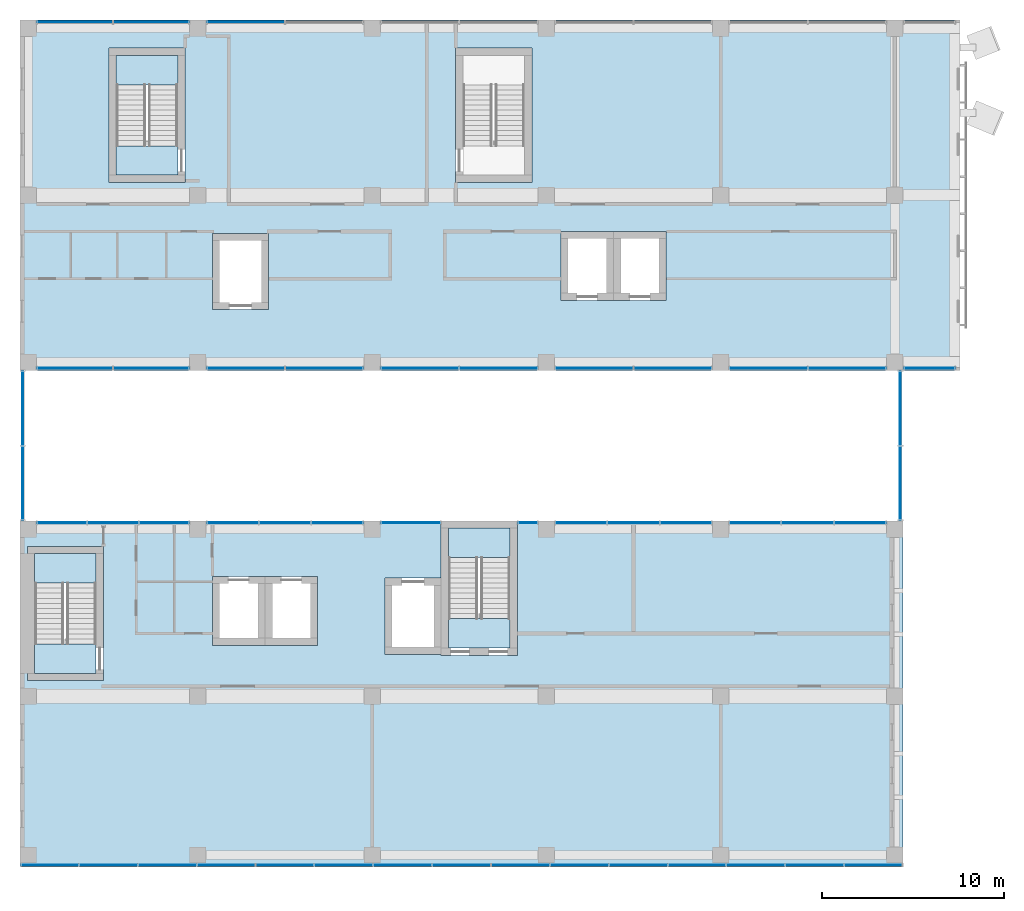
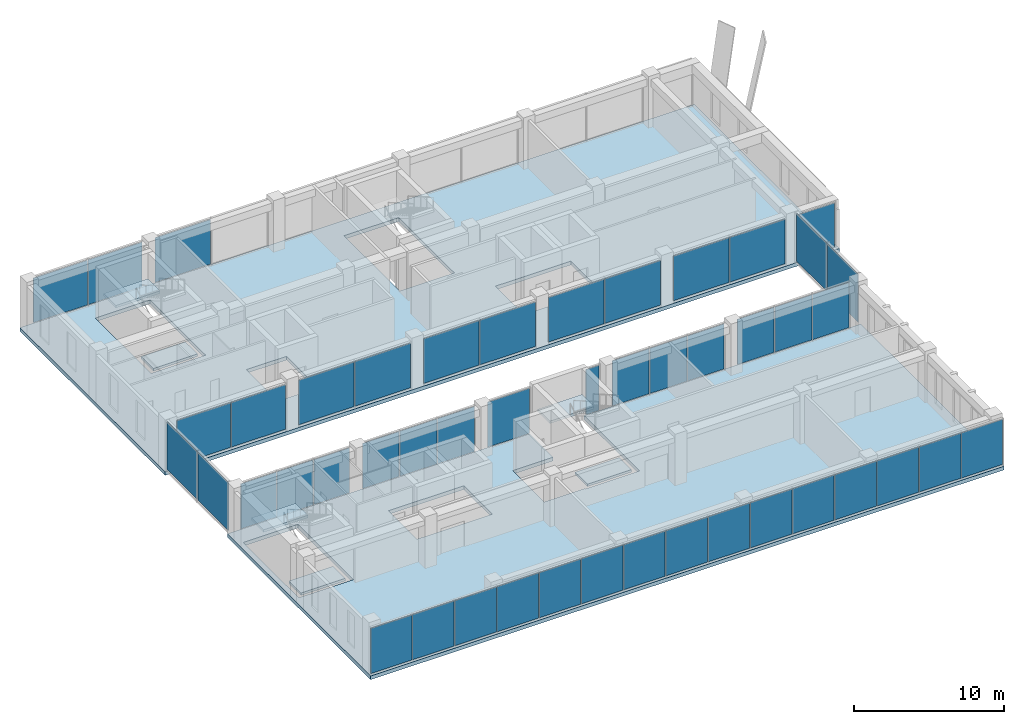
# One storey, part 26 of 37: 47 plates, 8 slabs, 20 elements without a shape of their own.
"""IFC4 building model written with IfcOpenShell, lengths in metres."""

from ifc_helpers import new_model, si_unit, direction, frame, origin, origin_2d, place, context, subcontext, project, spatial, polyline, rectangle, outline, extrude, material, layer, layer_set, type_object, element, aggregate, save


model = new_model("IFC4")

# Units and contexts
model_context = context("Model", 3, precision=1e-05, world=origin(), true_north=direction((0.0, 1.0)))
body_context = subcontext(model_context, "Body", "Model", "MODEL_VIEW")
ifc_project = project(units=[si_unit("LENGTHUNIT", "METRE"), si_unit("AREAUNIT", "SQUARE_METRE"), si_unit("VOLUMEUNIT", "CUBIC_METRE"), si_unit("PLANEANGLEUNIT", "RADIAN"), si_unit("MASSUNIT", "GRAM", prefix="KILO")], contexts=[model_context])

# Site, building, storey
site_placement = place(None, origin())
site = spatial("IfcSite", under=ifc_project, at=site_placement, CompositionType="ELEMENT")
building_placement = place(site_placement, origin())
building = spatial("IfcBuilding", under=site, at=building_placement, Name="Nzadi Deep Aquarium and Research Tower", CompositionType="ELEMENT")
storey_placement = place(building_placement, frame((0.0, 0.0, 57.10009765625)))
storey = spatial("IfcBuildingStorey", under=building, at=storey_placement, Name="L11", CompositionType="ELEMENT", Elevation=57.10009765625)

# Curtain wall, plates
ifc_material_1 = material(Name="Aluminium unitised frame", Category="aluminium")
ifc_layer_1 = layer(ifc_material_1, 0.199951171875)
ifc_layer_set_1 = layer_set([ifc_layer_1], Name="Aluminium unitised frame")
curtain_wall_type_1 = type_object("IfcCurtainWallType", Name="Curtain wall Unitised 200", PredefinedType="NOTDEFINED", material=ifc_layer_set_1)
curtain_wall_1_placement = place(storey_placement, origin())
curtain_wall_1 = element("IfcCurtainWall", 1, at=curtain_wall_1_placement, inside=storey, type_object=curtain_wall_type_1, Name="Unitised curtain wall blade A south L11", PredefinedType="NOTDEFINED")
ifc_material_2 = material(Name="Glass, sage tint", Category="glass")
ifc_layer_2 = layer(ifc_material_2, 0.035888671875)
ifc_layer_set_2 = layer_set([ifc_layer_2], Name="Glass, sage tint")
plate_type_1 = type_object("IfcPlateType", Name="Glazing panel 36 Unitised", PredefinedType="CURTAIN_PANEL", material=ifc_layer_set_2)
plate_1_placement = place(storey_placement, frame((1.436767578125, -0.10009765625, 0.1201171875), z_axis=(0.0, 0.0, 1.0), x_axis=(1.0, 0.0, 0.0)))
plate_1 = element("IfcPlate", 2, at=plate_1_placement, type_object=plate_type_1, Name="CW043 panel 1.1", PredefinedType="CURTAIN_PANEL", context=body_context, shape_type="SweptSolid", body=[
    extrude(rectangle(XDim=3.1533203125, YDim=0.035888671875, at=origin_2d()), origin(), (0.0, 0.0, 1.0), 3.659912109375),
])
plate_2_placement = place(storey_placement, frame((4.6650390625, -0.10009765625, 0.1201171875), z_axis=(0.0, 0.0, 1.0), x_axis=(1.0, 0.0, 0.0)))
plate_2 = element("IfcPlate", 3, at=plate_2_placement, type_object=plate_type_1, Name="CW043 panel 2.1", PredefinedType="CURTAIN_PANEL", context=body_context, shape_type="SweptSolid", body=[
    extrude(rectangle(XDim=3.183349609375, YDim=0.035888671875, at=origin_2d()), origin(), (0.0, 0.0, 1.0), 3.659912109375),
])
plate_3_placement = place(storey_placement, frame((7.908447265625, -0.10009765625, 0.1201171875), z_axis=(0.0, 0.0, 1.0), x_axis=(1.0, 0.0, 0.0)))
plate_3 = element("IfcPlate", 4, at=plate_3_placement, type_object=plate_type_1, Name="CW043 panel 3.1", PredefinedType="CURTAIN_PANEL", context=body_context, shape_type="SweptSolid", body=[
    extrude(rectangle(XDim=3.183349609375, YDim=0.035888671875, at=origin_2d()), origin(), (0.0, 0.0, 1.0), 3.659912109375),
])
plate_4_placement = place(storey_placement, frame((11.151611328125, -0.10009765625, 0.1201171875), z_axis=(0.0, 0.0, 1.0), x_axis=(1.0, 0.0, 0.0)))
plate_4 = element("IfcPlate", 5, at=plate_4_placement, type_object=plate_type_1, Name="CW043 panel 4.1", PredefinedType="CURTAIN_PANEL", context=body_context, shape_type="SweptSolid", body=[
    extrude(rectangle(XDim=3.183349609375, YDim=0.035888671875, at=origin_2d()), origin(), (0.0, 0.0, 1.0), 3.659912109375),
])
plate_5_placement = place(storey_placement, frame((14.39501953125, -0.10009765625, 0.1201171875), z_axis=(0.0, 0.0, 1.0), x_axis=(1.0, 0.0, 0.0)))
plate_5 = element("IfcPlate", 6, at=plate_5_placement, type_object=plate_type_1, Name="CW043 panel 5.1", PredefinedType="CURTAIN_PANEL", context=body_context, shape_type="SweptSolid", body=[
    extrude(rectangle(XDim=3.183349609375, YDim=0.035888671875, at=origin_2d()), origin(), (0.0, 0.0, 1.0), 3.659912109375),
])
plate_6_placement = place(storey_placement, frame((17.638427734375, -0.10009765625, 0.1201171875), z_axis=(0.0, 0.0, 1.0), x_axis=(1.0, 0.0, 0.0)))
plate_6 = element("IfcPlate", 7, at=plate_6_placement, type_object=plate_type_1, Name="CW043 panel 6.1", PredefinedType="CURTAIN_PANEL", context=body_context, shape_type="SweptSolid", body=[
    extrude(rectangle(XDim=3.183349609375, YDim=0.035888671875, at=origin_2d()), origin(), (0.0, 0.0, 1.0), 3.659912109375),
])
plate_7_placement = place(storey_placement, frame((20.881591796875, -0.10009765625, 0.1201171875), z_axis=(0.0, 0.0, 1.0), x_axis=(1.0, 0.0, 0.0)))
plate_7 = element("IfcPlate", 8, at=plate_7_placement, type_object=plate_type_1, Name="CW043 panel 7.1", PredefinedType="CURTAIN_PANEL", context=body_context, shape_type="SweptSolid", body=[
    extrude(rectangle(XDim=3.183349609375, YDim=0.035888671875, at=origin_2d()), origin(), (0.0, 0.0, 1.0), 3.659912109375),
])
plate_8_placement = place(storey_placement, frame((24.125, -0.10009765625, 0.1201171875), z_axis=(0.0, 0.0, 1.0), x_axis=(1.0, 0.0, 0.0)))
plate_8 = element("IfcPlate", 9, at=plate_8_placement, type_object=plate_type_1, Name="CW043 panel 8.1", PredefinedType="CURTAIN_PANEL", context=body_context, shape_type="SweptSolid", body=[
    extrude(rectangle(XDim=3.183349609375, YDim=0.035888671875, at=origin_2d()), origin(), (0.0, 0.0, 1.0), 3.659912109375),
])
plate_9_placement = place(storey_placement, frame((27.368408203125, -0.10009765625, 0.1201171875), z_axis=(0.0, 0.0, 1.0), x_axis=(1.0, 0.0, 0.0)))
plate_9 = element("IfcPlate", 10, at=plate_9_placement, type_object=plate_type_1, Name="CW043 panel 9.1", PredefinedType="CURTAIN_PANEL", context=body_context, shape_type="SweptSolid", body=[
    extrude(rectangle(XDim=3.183349609375, YDim=0.035888671875, at=origin_2d()), origin(), (0.0, 0.0, 1.0), 3.659912109375),
])
plate_10_placement = place(storey_placement, frame((30.611572265625, -0.10009765625, 0.1201171875), z_axis=(0.0, 0.0, 1.0), x_axis=(1.0, 0.0, 0.0)))
plate_10 = element("IfcPlate", 11, at=plate_10_placement, type_object=plate_type_1, Name="CW043 panel 10.1", PredefinedType="CURTAIN_PANEL", context=body_context, shape_type="SweptSolid", body=[
    extrude(rectangle(XDim=3.183349609375, YDim=0.035888671875, at=origin_2d()), origin(), (0.0, 0.0, 1.0), 3.659912109375),
])
plate_11_placement = place(storey_placement, frame((33.85498046875, -0.10009765625, 0.1201171875), z_axis=(0.0, 0.0, 1.0), x_axis=(1.0, 0.0, 0.0)))
plate_11 = element("IfcPlate", 12, at=plate_11_placement, type_object=plate_type_1, Name="CW043 panel 11.1", PredefinedType="CURTAIN_PANEL", context=body_context, shape_type="SweptSolid", body=[
    extrude(rectangle(XDim=3.183349609375, YDim=0.035888671875, at=origin_2d()), origin(), (0.0, 0.0, 1.0), 3.659912109375),
])
plate_12_placement = place(storey_placement, frame((37.098388671875, -0.10009765625, 0.1201171875), z_axis=(0.0, 0.0, 1.0), x_axis=(1.0, 0.0, 0.0)))
plate_12 = element("IfcPlate", 13, at=plate_12_placement, type_object=plate_type_1, Name="CW043 panel 12.1", PredefinedType="CURTAIN_PANEL", context=body_context, shape_type="SweptSolid", body=[
    extrude(rectangle(XDim=3.183349609375, YDim=0.035888671875, at=origin_2d()), origin(), (0.0, 0.0, 1.0), 3.659912109375),
])
plate_13_placement = place(storey_placement, frame((40.341552734375, -0.10009765625, 0.1201171875), z_axis=(0.0, 0.0, 1.0), x_axis=(1.0, 0.0, 0.0)))
plate_13 = element("IfcPlate", 14, at=plate_13_placement, type_object=plate_type_1, Name="CW043 panel 13.1", PredefinedType="CURTAIN_PANEL", context=body_context, shape_type="SweptSolid", body=[
    extrude(rectangle(XDim=3.183349609375, YDim=0.035888671875, at=origin_2d()), origin(), (0.0, 0.0, 1.0), 3.659912109375),
])
plate_14_placement = place(storey_placement, frame((43.5849609375, -0.10009765625, 0.1201171875), z_axis=(0.0, 0.0, 1.0), x_axis=(1.0, 0.0, 0.0)))
plate_14 = element("IfcPlate", 15, at=plate_14_placement, type_object=plate_type_1, Name="CW043 panel 14.1", PredefinedType="CURTAIN_PANEL", context=body_context, shape_type="SweptSolid", body=[
    extrude(rectangle(XDim=3.183349609375, YDim=0.035888671875, at=origin_2d()), origin(), (0.0, 0.0, 1.0), 3.659912109375),
])
plate_15_placement = place(storey_placement, frame((46.813232421875, -0.10009765625, 0.1201171875), z_axis=(0.0, 0.0, 1.0), x_axis=(1.0, 0.0, 0.0)))
plate_15 = element("IfcPlate", 16, at=plate_15_placement, type_object=plate_type_1, Name="CW043 panel 15.1", PredefinedType="CURTAIN_PANEL", context=body_context, shape_type="SweptSolid", body=[
    extrude(rectangle(XDim=3.1533203125, YDim=0.035888671875, at=origin_2d()), origin(), (0.0, 0.0, 1.0), 3.659912109375),
])
aggregate(curtain_wall_1, [plate_1, plate_2, plate_3, plate_4, plate_5, plate_6, plate_7, plate_8, plate_9, plate_10, plate_11, plate_12, plate_13, plate_14, plate_15])

curtain_wall_2_placement = place(storey_placement, origin())
curtain_wall_2 = element("IfcCurtainWall", 17, at=curtain_wall_2_placement, inside=storey, type_object=curtain_wall_type_1, Name="Unitised curtain wall blade A north L11", PredefinedType="NOTDEFINED")
plate_16_placement = place(storey_placement, frame((2.123291015625, 18.75, 0.1201171875), z_axis=(0.0, 0.0, 1.0), x_axis=(1.0, 0.0, 0.0)))
plate_16 = element("IfcPlate", 18, at=plate_16_placement, type_object=plate_type_1, Name="CW044 panel 1.1", PredefinedType="CURTAIN_PANEL", context=body_context, shape_type="SweptSolid", body=[
    extrude(rectangle(XDim=2.7265625, YDim=0.035888671875, at=origin_2d()), origin(), (0.0, 0.0, 1.0), 3.659912109375),
])
plate_17_placement = place(storey_placement, frame((4.925048828125, 18.75, 0.1201171875), z_axis=(0.0, 0.0, 1.0), x_axis=(1.0, 0.0, 0.0)))
plate_17 = element("IfcPlate", 19, at=plate_17_placement, type_object=plate_type_1, Name="CW044 panel 2.1", PredefinedType="CURTAIN_PANEL", context=body_context, shape_type="SweptSolid", body=[
    extrude(rectangle(XDim=2.756591796875, YDim=0.035888671875, at=origin_2d()), origin(), (0.0, 0.0, 1.0), 3.659912109375),
])
plate_18_placement = place(storey_placement, frame((7.7265625, 18.75, 0.1201171875), z_axis=(0.0, 0.0, 1.0), x_axis=(1.0, 0.0, 0.0)))
plate_18 = element("IfcPlate", 20, at=plate_18_placement, type_object=plate_type_1, Name="CW044 panel 3.1", PredefinedType="CURTAIN_PANEL", context=body_context, shape_type="SweptSolid", body=[
    extrude(rectangle(XDim=2.7265625, YDim=0.035888671875, at=origin_2d()), origin(), (0.0, 0.0, 1.0), 3.659912109375),
])
aggregate(curtain_wall_2, [plate_16, plate_17, plate_18])

curtain_wall_3_placement = place(storey_placement, origin())
curtain_wall_3 = element("IfcCurtainWall", 21, at=curtain_wall_3_placement, inside=storey, type_object=curtain_wall_type_1, Name="Unitised curtain wall blade A north L11", PredefinedType="NOTDEFINED")
plate_19_placement = place(storey_placement, frame((11.514892578125, 18.75, 0.1201171875), z_axis=(0.0, 0.0, 1.0), x_axis=(1.0, 0.0, 0.0)))
plate_19 = element("IfcPlate", 22, at=plate_19_placement, type_object=plate_type_1, Name="CW045 panel 1.1", PredefinedType="CURTAIN_PANEL", context=body_context, shape_type="SweptSolid", body=[
    extrude(rectangle(XDim=2.81005859375, YDim=0.035888671875, at=origin_2d()), origin(), (0.0, 0.0, 1.0), 3.659912109375),
])
plate_20_placement = place(storey_placement, frame((14.39990234375, 18.75, 0.1201171875), z_axis=(0.0, 0.0, 1.0), x_axis=(1.0, 0.0, 0.0)))
plate_20 = element("IfcPlate", 23, at=plate_20_placement, type_object=plate_type_1, Name="CW045 panel 2.1", PredefinedType="CURTAIN_PANEL", context=body_context, shape_type="SweptSolid", body=[
    extrude(rectangle(XDim=2.840087890625, YDim=0.035888671875, at=origin_2d()), origin(), (0.0, 0.0, 1.0), 3.659912109375),
])
plate_21_placement = place(storey_placement, frame((17.284912109375, 18.75, 0.1201171875), z_axis=(0.0, 0.0, 1.0), x_axis=(1.0, 0.0, 0.0)))
plate_21 = element("IfcPlate", 24, at=plate_21_placement, type_object=plate_type_1, Name="CW045 panel 3.1", PredefinedType="CURTAIN_PANEL", context=body_context, shape_type="SweptSolid", body=[
    extrude(rectangle(XDim=2.81005859375, YDim=0.035888671875, at=origin_2d()), origin(), (0.0, 0.0, 1.0), 3.659912109375),
])
aggregate(curtain_wall_3, [plate_19, plate_20, plate_21])

# Curtain wall, plate
curtain_wall_4_placement = place(storey_placement, origin())
curtain_wall_4 = element("IfcCurtainWall", 25, at=curtain_wall_4_placement, inside=storey, type_object=curtain_wall_type_1, Name="Unitised curtain wall blade A north L11", PredefinedType="NOTDEFINED")
plate_22_placement = place(storey_placement, frame((21.324951171875, 18.75, 0.1201171875), z_axis=(0.0, 0.0, 1.0), x_axis=(1.0, 0.0, 0.0)))
plate_22 = element("IfcPlate", 26, at=plate_22_placement, type_object=plate_type_1, Name="CW046 panel 1.1", PredefinedType="CURTAIN_PANEL", context=body_context, shape_type="SweptSolid", body=[
    extrude(rectangle(XDim=3.22998046875, YDim=0.035888671875, at=origin_2d()), origin(), (0.0, 0.0, 1.0), 3.659912109375),
])
aggregate(curtain_wall_4, [plate_22])

curtain_wall_5_placement = place(storey_placement, origin())
curtain_wall_5 = element("IfcCurtainWall", 27, at=curtain_wall_5_placement, inside=storey, type_object=curtain_wall_type_1, Name="Unitised curtain wall blade A north L11", PredefinedType="NOTDEFINED")
plate_23_placement = place(storey_placement, frame((27.77490234375, 18.75, 0.1201171875), z_axis=(0.0, 0.0, 1.0), x_axis=(1.0, 0.0, 0.0)))
plate_23 = element("IfcPlate", 28, at=plate_23_placement, type_object=plate_type_1, Name="CW047 panel 1.1", PredefinedType="CURTAIN_PANEL", context=body_context, shape_type="SweptSolid", body=[
    extrude(rectangle(XDim=1.030029296875, YDim=0.035888671875, at=origin_2d()), origin(), (0.0, 0.0, 1.0), 3.659912109375),
])
aggregate(curtain_wall_5, [plate_23])

# Curtain wall, plates
curtain_wall_6_placement = place(storey_placement, origin())
curtain_wall_6 = element("IfcCurtainWall", 29, at=curtain_wall_6_placement, inside=storey, type_object=curtain_wall_type_1, Name="Unitised curtain wall blade A north L11", PredefinedType="NOTDEFINED")
plate_24_placement = place(storey_placement, frame((30.715087890625, 18.75, 0.1201171875), z_axis=(0.0, 0.0, 1.0), x_axis=(1.0, 0.0, 0.0)))
plate_24 = element("IfcPlate", 30, at=plate_24_placement, type_object=plate_type_1, Name="CW048 panel 1.1", PredefinedType="CURTAIN_PANEL", context=body_context, shape_type="SweptSolid", body=[
    extrude(rectangle(XDim=2.81005859375, YDim=0.035888671875, at=origin_2d()), origin(), (0.0, 0.0, 1.0), 3.659912109375),
])
plate_25_placement = place(storey_placement, frame((33.60009765625, 18.75, 0.1201171875), z_axis=(0.0, 0.0, 1.0), x_axis=(1.0, 0.0, 0.0)))
plate_25 = element("IfcPlate", 31, at=plate_25_placement, type_object=plate_type_1, Name="CW048 panel 2.1", PredefinedType="CURTAIN_PANEL", context=body_context, shape_type="SweptSolid", body=[
    extrude(rectangle(XDim=2.840087890625, YDim=0.035888671875, at=origin_2d()), origin(), (0.0, 0.0, 1.0), 3.659912109375),
])
plate_26_placement = place(storey_placement, frame((36.485107421875, 18.75, 0.1201171875), z_axis=(0.0, 0.0, 1.0), x_axis=(1.0, 0.0, 0.0)))
plate_26 = element("IfcPlate", 32, at=plate_26_placement, type_object=plate_type_1, Name="CW048 panel 3.1", PredefinedType="CURTAIN_PANEL", context=body_context, shape_type="SweptSolid", body=[
    extrude(rectangle(XDim=2.81005859375, YDim=0.035888671875, at=origin_2d()), origin(), (0.0, 0.0, 1.0), 3.659912109375),
])
aggregate(curtain_wall_6, [plate_24, plate_25, plate_26])

curtain_wall_7_placement = place(storey_placement, origin())
curtain_wall_7 = element("IfcCurtainWall", 33, at=curtain_wall_7_placement, inside=storey, type_object=curtain_wall_type_1, Name="Unitised curtain wall blade A north L11", PredefinedType="NOTDEFINED")
plate_27_placement = place(storey_placement, frame((40.31494140625, 18.75, 0.1201171875), z_axis=(0.0, 0.0, 1.0), x_axis=(1.0, 0.0, 0.0)))
plate_27 = element("IfcPlate", 34, at=plate_27_placement, type_object=plate_type_1, Name="CW049 panel 1.1", PredefinedType="CURTAIN_PANEL", context=body_context, shape_type="SweptSolid", body=[
    extrude(rectangle(XDim=2.81005859375, YDim=0.035888671875, at=origin_2d()), origin(), (0.0, 0.0, 1.0), 3.659912109375),
])
plate_28_placement = place(storey_placement, frame((43.199951171875, 18.75, 0.1201171875), z_axis=(0.0, 0.0, 1.0), x_axis=(1.0, 0.0, 0.0)))
plate_28 = element("IfcPlate", 35, at=plate_28_placement, type_object=plate_type_1, Name="CW049 panel 2.1", PredefinedType="CURTAIN_PANEL", context=body_context, shape_type="SweptSolid", body=[
    extrude(rectangle(XDim=2.840087890625, YDim=0.035888671875, at=origin_2d()), origin(), (0.0, 0.0, 1.0), 3.659912109375),
])
plate_29_placement = place(storey_placement, frame((46.0849609375, 18.75, 0.1201171875), z_axis=(0.0, 0.0, 1.0), x_axis=(1.0, 0.0, 0.0)))
plate_29 = element("IfcPlate", 36, at=plate_29_placement, type_object=plate_type_1, Name="CW049 panel 3.1", PredefinedType="CURTAIN_PANEL", context=body_context, shape_type="SweptSolid", body=[
    extrude(rectangle(XDim=2.81005859375, YDim=0.035888671875, at=origin_2d()), origin(), (0.0, 0.0, 1.0), 3.659912109375),
])
aggregate(curtain_wall_7, [plate_27, plate_28, plate_29])

ifc_material_3 = material(Name="Aluminium unitised frame deep", Category="aluminium")
ifc_layer_3 = layer(ifc_material_3, 0.22509765625)
ifc_layer_set_3 = layer_set([ifc_layer_3], Name="Aluminium unitised frame deep")
curtain_wall_type_2 = type_object("IfcCurtainWallType", Name="Curtain wall Unitised Deep 225", PredefinedType="NOTDEFINED", material=ifc_layer_set_3)
curtain_wall_8_placement = place(storey_placement, origin())
curtain_wall_8 = element("IfcCurtainWall", 37, at=curtain_wall_8_placement, inside=storey, type_object=curtain_wall_type_2, Name="Unitised curtain wall blade B south L11", PredefinedType="NOTDEFINED")
ifc_material_4 = material(Name="Glass, sage tint", Category="glass")
ifc_layer_4 = layer(ifc_material_4, 0.0400390625)
ifc_layer_set_4 = layer_set([ifc_layer_4], Name="Glass, sage tint")
plate_type_2 = type_object("IfcPlateType", Name="Glazing panel 40 Unitised Deep", PredefinedType="CURTAIN_PANEL", material=ifc_layer_set_4)
plate_30_placement = place(storey_placement, frame((2.827392578125, 27.262451171875, 0.139892578125), z_axis=(0.0, 0.0, 1.0), x_axis=(1.0, 0.0, 0.0)))
plate_30 = element("IfcPlate", 38, at=plate_30_placement, type_object=plate_type_2, Name="CW140 panel 1.1", PredefinedType="CURTAIN_PANEL", context=body_context, shape_type="SweptSolid", body=[
    extrude(rectangle(XDim=4.135009765625, YDim=0.0400390625, at=origin_2d()), origin(), (0.0, 0.0, 1.0), 3.6201171875),
])
plate_31_placement = place(storey_placement, frame((7.0224609375, 27.262451171875, 0.139892578125), z_axis=(0.0, 0.0, 1.0), x_axis=(1.0, 0.0, 0.0)))
plate_31 = element("IfcPlate", 39, at=plate_31_placement, type_object=plate_type_2, Name="CW140 panel 2.1", PredefinedType="CURTAIN_PANEL", context=body_context, shape_type="SweptSolid", body=[
    extrude(rectangle(XDim=4.135009765625, YDim=0.0400390625, at=origin_2d()), origin(), (0.0, 0.0, 1.0), 3.6201171875),
])
aggregate(curtain_wall_8, [plate_30, plate_31])

curtain_wall_9_placement = place(storey_placement, origin())
curtain_wall_9 = element("IfcCurtainWall", 40, at=curtain_wall_9_placement, inside=storey, type_object=curtain_wall_type_2, Name="Unitised curtain wall blade B south L11", PredefinedType="NOTDEFINED")
plate_32_placement = place(storey_placement, frame((12.239990234375, 27.262451171875, 0.139892578125), z_axis=(0.0, 0.0, 1.0), x_axis=(1.0, 0.0, 0.0)))
plate_32 = element("IfcPlate", 41, at=plate_32_placement, type_object=plate_type_2, Name="CW141 panel 1.1", PredefinedType="CURTAIN_PANEL", context=body_context, shape_type="SweptSolid", body=[
    extrude(rectangle(XDim=4.260009765625, YDim=0.0400390625, at=origin_2d()), origin(), (0.0, 0.0, 1.0), 3.6201171875),
])
plate_33_placement = place(storey_placement, frame((16.56005859375, 27.262451171875, 0.139892578125), z_axis=(0.0, 0.0, 1.0), x_axis=(1.0, 0.0, 0.0)))
plate_33 = element("IfcPlate", 42, at=plate_33_placement, type_object=plate_type_2, Name="CW141 panel 2.1", PredefinedType="CURTAIN_PANEL", context=body_context, shape_type="SweptSolid", body=[
    extrude(rectangle(XDim=4.260009765625, YDim=0.0400390625, at=origin_2d()), origin(), (0.0, 0.0, 1.0), 3.6201171875),
])
aggregate(curtain_wall_9, [plate_32, plate_33])

curtain_wall_10_placement = place(storey_placement, origin())
curtain_wall_10 = element("IfcCurtainWall", 43, at=curtain_wall_10_placement, inside=storey, type_object=curtain_wall_type_2, Name="Unitised curtain wall blade B south L11", PredefinedType="NOTDEFINED")
plate_34_placement = place(storey_placement, frame((21.840087890625, 27.262451171875, 0.139892578125), z_axis=(0.0, 0.0, 1.0), x_axis=(1.0, 0.0, 0.0)))
plate_34 = element("IfcPlate", 44, at=plate_34_placement, type_object=plate_type_2, Name="CW142 panel 1.1", PredefinedType="CURTAIN_PANEL", context=body_context, shape_type="SweptSolid", body=[
    extrude(rectangle(XDim=4.260009765625, YDim=0.0400390625, at=origin_2d()), origin(), (0.0, 0.0, 1.0), 3.6201171875),
])
plate_35_placement = place(storey_placement, frame((26.159912109375, 27.262451171875, 0.139892578125), z_axis=(0.0, 0.0, 1.0), x_axis=(1.0, 0.0, 0.0)))
plate_35 = element("IfcPlate", 45, at=plate_35_placement, type_object=plate_type_2, Name="CW142 panel 2.1", PredefinedType="CURTAIN_PANEL", context=body_context, shape_type="SweptSolid", body=[
    extrude(rectangle(XDim=4.260009765625, YDim=0.0400390625, at=origin_2d()), origin(), (0.0, 0.0, 1.0), 3.6201171875),
])
aggregate(curtain_wall_10, [plate_34, plate_35])

curtain_wall_11_placement = place(storey_placement, origin())
curtain_wall_11 = element("IfcCurtainWall", 46, at=curtain_wall_11_placement, inside=storey, type_object=curtain_wall_type_2, Name="Unitised curtain wall blade B south L11", PredefinedType="NOTDEFINED")
plate_36_placement = place(storey_placement, frame((31.43994140625, 27.262451171875, 0.139892578125), z_axis=(0.0, 0.0, 1.0), x_axis=(1.0, 0.0, 0.0)))
plate_36 = element("IfcPlate", 47, at=plate_36_placement, type_object=plate_type_2, Name="CW143 panel 1.1", PredefinedType="CURTAIN_PANEL", context=body_context, shape_type="SweptSolid", body=[
    extrude(rectangle(XDim=4.260009765625, YDim=0.0400390625, at=origin_2d()), origin(), (0.0, 0.0, 1.0), 3.6201171875),
])
plate_37_placement = place(storey_placement, frame((35.760009765625, 27.262451171875, 0.139892578125), z_axis=(0.0, 0.0, 1.0), x_axis=(1.0, 0.0, 0.0)))
plate_37 = element("IfcPlate", 48, at=plate_37_placement, type_object=plate_type_2, Name="CW143 panel 2.1", PredefinedType="CURTAIN_PANEL", context=body_context, shape_type="SweptSolid", body=[
    extrude(rectangle(XDim=4.260009765625, YDim=0.0400390625, at=origin_2d()), origin(), (0.0, 0.0, 1.0), 3.6201171875),
])
aggregate(curtain_wall_11, [plate_36, plate_37])

curtain_wall_12_placement = place(storey_placement, origin())
curtain_wall_12 = element("IfcCurtainWall", 49, at=curtain_wall_12_placement, inside=storey, type_object=curtain_wall_type_2, Name="Unitised curtain wall blade B south L11", PredefinedType="NOTDEFINED")
plate_38_placement = place(storey_placement, frame((41.0400390625, 27.262451171875, 0.139892578125), z_axis=(0.0, 0.0, 1.0), x_axis=(1.0, 0.0, 0.0)))
plate_38 = element("IfcPlate", 50, at=plate_38_placement, type_object=plate_type_2, Name="CW144 panel 1.1", PredefinedType="CURTAIN_PANEL", context=body_context, shape_type="SweptSolid", body=[
    extrude(rectangle(XDim=4.260009765625, YDim=0.0400390625, at=origin_2d()), origin(), (0.0, 0.0, 1.0), 3.6201171875),
])
plate_39_placement = place(storey_placement, frame((45.360107421875, 27.262451171875, 0.139892578125), z_axis=(0.0, 0.0, 1.0), x_axis=(1.0, 0.0, 0.0)))
plate_39 = element("IfcPlate", 51, at=plate_39_placement, type_object=plate_type_2, Name="CW144 panel 2.1", PredefinedType="CURTAIN_PANEL", context=body_context, shape_type="SweptSolid", body=[
    extrude(rectangle(XDim=4.260009765625, YDim=0.0400390625, at=origin_2d()), origin(), (0.0, 0.0, 1.0), 3.6201171875),
])
aggregate(curtain_wall_12, [plate_38, plate_39])

# Curtain wall, plate
curtain_wall_13_placement = place(storey_placement, origin())
curtain_wall_13 = element("IfcCurtainWall", 52, at=curtain_wall_13_placement, inside=storey, type_object=curtain_wall_type_2, Name="Unitised curtain wall blade B south L11", PredefinedType="NOTDEFINED")
plate_40_placement = place(storey_placement, frame((49.89990234375, 27.262451171875, 0.139892578125), z_axis=(0.0, 0.0, 1.0), x_axis=(1.0, 0.0, 0.0)))
plate_40 = element("IfcPlate", 53, at=plate_40_placement, type_object=plate_type_2, Name="CW145 panel 1.1", PredefinedType="CURTAIN_PANEL", context=body_context, shape_type="SweptSolid", body=[
    extrude(rectangle(XDim=2.780029296875, YDim=0.0400390625, at=origin_2d()), origin(), (0.0, 0.0, 1.0), 3.6201171875),
])
aggregate(curtain_wall_13, [plate_40])

# Curtain wall, plates
curtain_wall_14_placement = place(storey_placement, origin())
curtain_wall_14 = element("IfcCurtainWall", 54, at=curtain_wall_14_placement, inside=storey, type_object=curtain_wall_type_2, Name="Unitised curtain wall blade B north L11", PredefinedType="NOTDEFINED")
plate_41_placement = place(storey_placement, frame((2.827392578125, 46.33740234375, 0.139892578125), z_axis=(0.0, 0.0, 1.0), x_axis=(1.0, 0.0, 0.0)))
plate_41 = element("IfcPlate", 55, at=plate_41_placement, type_object=plate_type_2, Name="CW146 panel 1.1", PredefinedType="CURTAIN_PANEL", context=body_context, shape_type="SweptSolid", body=[
    extrude(rectangle(XDim=4.135009765625, YDim=0.0400390625, at=origin_2d()), origin(), (0.0, 0.0, 1.0), 3.6201171875),
])
plate_42_placement = place(storey_placement, frame((7.0224609375, 46.33740234375, 0.139892578125), z_axis=(0.0, 0.0, 1.0), x_axis=(1.0, 0.0, 0.0)))
plate_42 = element("IfcPlate", 56, at=plate_42_placement, type_object=plate_type_2, Name="CW146 panel 2.1", PredefinedType="CURTAIN_PANEL", context=body_context, shape_type="SweptSolid", body=[
    extrude(rectangle(XDim=4.135009765625, YDim=0.0400390625, at=origin_2d()), origin(), (0.0, 0.0, 1.0), 3.6201171875),
])
aggregate(curtain_wall_14, [plate_41, plate_42])

# Curtain wall, plate
curtain_wall_15_placement = place(storey_placement, origin())
curtain_wall_15 = element("IfcCurtainWall", 57, at=curtain_wall_15_placement, inside=storey, type_object=curtain_wall_type_2, Name="Unitised curtain wall blade B north L11", PredefinedType="NOTDEFINED")
plate_43_placement = place(storey_placement, frame((12.239990234375, 46.33740234375, 0.139892578125), z_axis=(0.0, 0.0, 1.0), x_axis=(1.0, 0.0, 0.0)))
plate_43 = element("IfcPlate", 58, at=plate_43_placement, type_object=plate_type_2, Name="CW147 panel 1.1", PredefinedType="CURTAIN_PANEL", context=body_context, shape_type="SweptSolid", body=[
    extrude(rectangle(XDim=4.260009765625, YDim=0.0400390625, at=origin_2d()), origin(), (0.0, 0.0, 1.0), 3.6201171875),
])
aggregate(curtain_wall_15, [plate_43])

# Curtain wall, plates
ifc_material_5 = material(Name="Aluminium unitised frame wind post", Category="aluminium")
ifc_layer_5 = layer(ifc_material_5, 0.300048828125)
ifc_layer_set_5 = layer_set([ifc_layer_5], Name="Aluminium unitised frame wind post")
curtain_wall_type_3 = type_object("IfcCurtainWallType", Name="Curtain wall Slot End 300", PredefinedType="NOTDEFINED", material=ifc_layer_set_5)
curtain_wall_16_placement = place(storey_placement, origin())
curtain_wall_16 = element("IfcCurtainWall", 59, at=curtain_wall_16_placement, inside=storey, type_object=curtain_wall_type_3, Name="Glazed slot end west L11", PredefinedType="NOTDEFINED")
ifc_material_6 = material(Name="Glass, sage tint", Category="glass")
ifc_layer_6 = layer(ifc_material_6, 0.0439453125)
ifc_layer_set_6 = layer_set([ifc_layer_6], Name="Glass, sage tint")
plate_type_3 = type_object("IfcPlateType", Name="Glazing panel 44 Slot End", PredefinedType="CURTAIN_PANEL", material=ifc_layer_set_6)
plate_44_placement = place(storey_placement, frame((-0.050048828125, 20.93994140625, 0.159912109375), z_axis=(0.0, 0.0, 1.0), x_axis=(0.0, 1.0, 0.0)))
plate_44 = element("IfcPlate", 60, at=plate_44_placement, type_object=plate_type_3, Name="CW213 panel 1.1", PredefinedType="CURTAIN_PANEL", context=body_context, shape_type="SweptSolid", body=[
    extrude(rectangle(XDim=4.06005859375, YDim=0.0439453125, at=origin_2d()), origin(), (0.0, 0.0, 1.0), 3.8798828125),
])
plate_45_placement = place(storey_placement, frame((-0.050048828125, 25.06005859375, 0.159912109375), z_axis=(0.0, 0.0, 1.0), x_axis=(0.0, 1.0, 0.0)))
plate_45 = element("IfcPlate", 61, at=plate_45_placement, type_object=plate_type_3, Name="CW213 panel 2.1", PredefinedType="CURTAIN_PANEL", context=body_context, shape_type="SweptSolid", body=[
    extrude(rectangle(XDim=4.06005859375, YDim=0.0439453125, at=origin_2d()), origin(), (0.0, 0.0, 1.0), 3.8798828125),
])
aggregate(curtain_wall_16, [plate_44, plate_45])

curtain_wall_17_placement = place(storey_placement, origin())
curtain_wall_17 = element("IfcCurtainWall", 62, at=curtain_wall_17_placement, inside=storey, type_object=curtain_wall_type_3, Name="Glazed slot end east L11", PredefinedType="NOTDEFINED")
plate_46_placement = place(storey_placement, frame((48.300048828125, 20.93994140625, 0.159912109375), z_axis=(0.0, 0.0, 1.0), x_axis=(0.0, 1.0, 0.0)))
plate_46 = element("IfcPlate", 63, at=plate_46_placement, type_object=plate_type_3, Name="CW214 panel 1.1", PredefinedType="CURTAIN_PANEL", context=body_context, shape_type="SweptSolid", body=[
    extrude(rectangle(XDim=4.06005859375, YDim=0.0439453125, at=origin_2d()), origin(), (0.0, 0.0, 1.0), 3.8798828125),
])
plate_47_placement = place(storey_placement, frame((48.300048828125, 25.06005859375, 0.159912109375), z_axis=(0.0, 0.0, 1.0), x_axis=(0.0, 1.0, 0.0)))
plate_47 = element("IfcPlate", 64, at=plate_47_placement, type_object=plate_type_3, Name="CW214 panel 2.1", PredefinedType="CURTAIN_PANEL", context=body_context, shape_type="SweptSolid", body=[
    extrude(rectangle(XDim=4.06005859375, YDim=0.0439453125, at=origin_2d()), origin(), (0.0, 0.0, 1.0), 3.8798828125),
])
aggregate(curtain_wall_17, [plate_46, plate_47])

# Stair, slabs
ifc_material_7 = material(Name="Concrete C35/45", Category="concrete")
stair_type = type_object("IfcStairType", Name="STAIR RETURN 3000", PredefinedType="NOTDEFINED", material=ifc_material_7)
stair_1_placement = place(storey_placement, origin())
stair_1 = element("IfcStair", 65, at=stair_1_placement, inside=storey, type_object=stair_type, Name="Stair ST-Z1-SW L11", PredefinedType="HALF_TURN_STAIR")
ifc_material_8 = material(Name="Concrete C35/45", Category="concrete")
ifc_layer_7 = layer(ifc_material_8, 0.199951171875)
ifc_layer_set_7 = layer_set([ifc_layer_7], Name="Concrete C35/45")
slab_type_1 = type_object("IfcSlabType", Name="LANDING 200", PredefinedType="LANDING", material=ifc_layer_set_7)
slab_1_placement = place(storey_placement, frame((0.0, 0.0, -0.2001953125)))
slab_1 = element("IfcSlab", 66, at=slab_1_placement, type_object=slab_type_1, Name="ST-Z1-SW landing 1", PredefinedType="LANDING", context=body_context, shape_type="SweptSolid", body=[
    extrude(outline(polyline([(0.60009765625, 10.449951171875), (4.0, 10.449951171875), (4.0, 12.070068359375), (0.60009765625, 12.070068359375), (0.60009765625, 10.449951171875)])), origin(), (0.0, 0.0, 1.0), 0.2001953125),
])
slab_2_placement = place(storey_placement, frame((0.0, 0.0, 1.89990234375)))
slab_2 = element("IfcSlab", 67, at=slab_2_placement, type_object=slab_type_1, Name="ST-Z1-SW landing 2", PredefinedType="LANDING", context=body_context, shape_type="SweptSolid", body=[
    extrude(outline(polyline([(0.60009765625, 15.429931640625), (4.0, 15.429931640625), (4.0, 17.050048828125), (0.60009765625, 17.050048828125), (0.60009765625, 15.429931640625)])), origin(), (0.0, 0.0, 1.0), 0.199951171875),
])
aggregate(stair_1, [slab_1, slab_2])

stair_2_placement = place(storey_placement, origin())
stair_2 = element("IfcStair", 68, at=stair_2_placement, inside=storey, type_object=stair_type, Name="Stair ST-Z1-SE L11", PredefinedType="HALF_TURN_STAIR")
slab_3_placement = place(storey_placement, frame((0.0, 0.0, -0.2001953125)))
slab_3 = element("IfcSlab", 69, at=slab_3_placement, type_object=slab_type_1, Name="ST-Z1-SE landing 1", PredefinedType="LANDING", context=body_context, shape_type="SweptSolid", body=[
    extrude(outline(polyline([(23.39990234375, 11.85009765625), (26.800048828125, 11.85009765625), (26.800048828125, 13.469970703125), (23.39990234375, 13.469970703125), (23.39990234375, 11.85009765625)])), origin(), (0.0, 0.0, 1.0), 0.2001953125),
])
slab_4_placement = place(storey_placement, frame((0.0, 0.0, 1.89990234375)))
slab_4 = element("IfcSlab", 70, at=slab_4_placement, type_object=slab_type_1, Name="ST-Z1-SE landing 2", PredefinedType="LANDING", context=body_context, shape_type="SweptSolid", body=[
    extrude(outline(polyline([(23.39990234375, 16.830078125), (26.800048828125, 16.830078125), (26.800048828125, 18.449951171875), (23.39990234375, 18.449951171875), (23.39990234375, 16.830078125)])), origin(), (0.0, 0.0, 1.0), 0.199951171875),
])
aggregate(stair_2, [slab_3, slab_4])

stair_3_placement = place(storey_placement, origin())
stair_3 = element("IfcStair", 71, at=stair_3_placement, inside=storey, type_object=stair_type, Name="Stair ST-Z1-NW L11", PredefinedType="HALF_TURN_STAIR")
slab_5_placement = place(storey_placement, frame((0.0, 0.0, -0.2001953125)))
slab_5 = element("IfcSlab", 72, at=slab_5_placement, type_object=slab_type_1, Name="ST-Z1-NW landing 1", PredefinedType="LANDING", context=body_context, shape_type="SweptSolid", body=[
    extrude(outline(polyline([(5.10009765625, 37.89990234375), (8.5, 37.89990234375), (8.5, 39.52001953125), (5.10009765625, 39.52001953125), (5.10009765625, 37.89990234375)])), origin(), (0.0, 0.0, 1.0), 0.2001953125),
])
slab_6_placement = place(storey_placement, frame((0.0, 0.0, 1.89990234375)))
slab_6 = element("IfcSlab", 73, at=slab_6_placement, type_object=slab_type_1, Name="ST-Z1-NW landing 2", PredefinedType="LANDING", context=body_context, shape_type="SweptSolid", body=[
    extrude(outline(polyline([(5.10009765625, 42.8798828125), (8.5, 42.8798828125), (8.5, 44.5), (5.10009765625, 44.5), (5.10009765625, 42.8798828125)])), origin(), (0.0, 0.0, 1.0), 0.199951171875),
])
aggregate(stair_3, [slab_5, slab_6])

# Slabs
ifc_material_9 = material(Name="Concrete C35/45", Category="concrete")
ifc_layer_8 = layer(ifc_material_9, 0.300048828125)
ifc_layer_set_8 = layer_set([ifc_layer_8], Name="Concrete C35/45")
slab_type_2 = type_object("IfcSlabType", Name="RC floor slab 300", PredefinedType="FLOOR", material=ifc_layer_set_8)
slab_7_placement = place(storey_placement, frame((0.0, 0.0, -0.300048828125)))
element("IfcSlab", 74, at=slab_7_placement, inside=storey, type_object=slab_type_2, Name="Tower floor A L11", PredefinedType="FLOOR", context=body_context, shape_type="SweptSolid", body=[
    extrude(outline(polyline([(27.199951171875, 11.449951171875), (23.0, 11.449951171875), (23.0, 11.5), (19.89990234375, 11.5), (19.89990234375, 15.699951171875), (23.0, 15.699951171875), (23.0, 18.85009765625), (-0.199462890625, 18.85009765625), (-0.199462890625, -0.199951171875), (48.449951171875, -0.199951171875), (48.449951171875, 18.85009765625), (27.199951171875, 18.85009765625), (27.199951171875, 11.449951171875)]), holes=[polyline([(4.39990234375, 17.449951171875), (4.39990234375, 10.050048828125), (0.199951171875, 10.050048828125), (0.199951171875, 17.449951171875), (4.39990234375, 17.449951171875)]), polyline([(10.39990234375, 12.0), (10.39990234375, 15.800048828125), (13.300048828125, 15.800048828125), (16.199951171875, 15.800048828125), (16.199951171875, 12.0), (13.300048828125, 12.0), (10.39990234375, 12.0)])]), origin(), (0.0, 0.0, 1.0), 0.300048828125),
])
slab_8_placement = place(storey_placement, frame((0.0, 0.0, -0.300048828125)))
element("IfcSlab", 75, at=slab_8_placement, inside=storey, type_object=slab_type_2, Name="Tower floor B L11", PredefinedType="FLOOR", context=body_context, shape_type="SweptSolid", body=[
    extrude(outline(polyline([(-0.199462890625, 27.14990234375), (51.60009765625, 27.14990234375), (51.60009765625, 46.449951171875), (-0.199462890625, 46.449951171875), (-0.199462890625, 27.14990234375)]), holes=[polyline([(8.89990234375, 44.89990234375), (8.89990234375, 37.5), (4.699951171875, 37.5), (4.699951171875, 44.89990234375), (8.89990234375, 44.89990234375)]), polyline([(28.0, 37.5), (23.800048828125, 37.5), (23.800048828125, 44.89990234375), (28.0, 44.89990234375), (28.0, 37.5)]), polyline([(10.39990234375, 30.5), (10.39990234375, 34.699951171875), (13.5, 34.699951171875), (13.5, 30.5), (10.39990234375, 30.5)]), polyline([(29.60009765625, 34.800048828125), (32.5, 34.800048828125), (35.39990234375, 34.800048828125), (35.39990234375, 31.0), (32.5, 31.0), (29.60009765625, 31.0), (29.60009765625, 34.800048828125)])]), origin(), (0.0, 0.0, 1.0), 0.300048828125),
])

save(model, "model.ifc")
